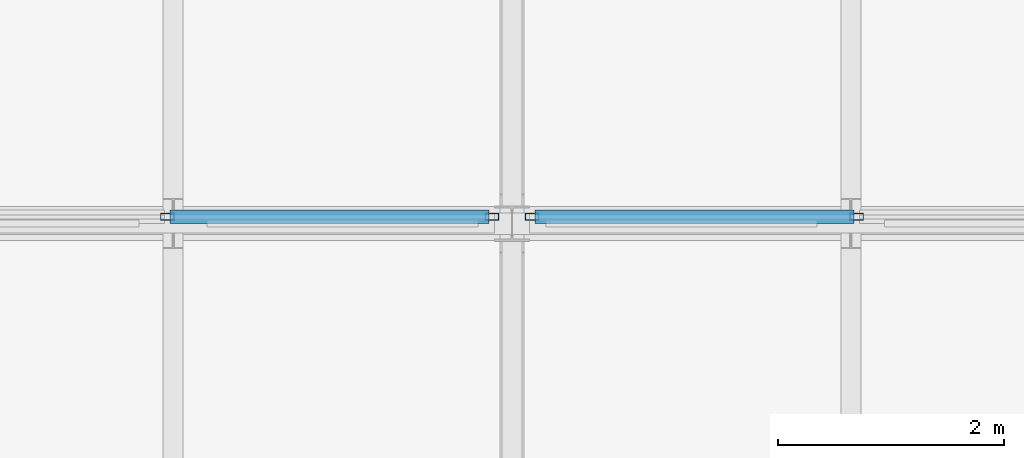
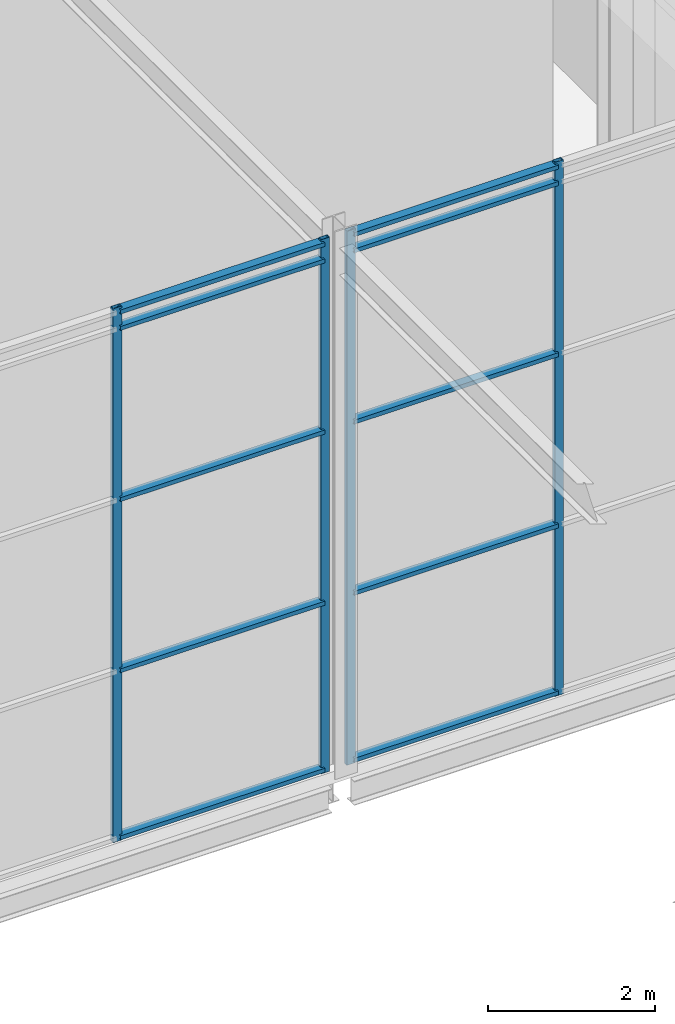
# One storey, part 75 of 144: 14 members, 2 elements without a shape of their own.
"""IFC4 building model written with IfcOpenShell, lengths in metres."""

from ifc_helpers import new_model, si_unit, direction, frame, origin, origin_2d, place, context, subcontext, project, spatial, hollow_rectangle, extrude, material, layer, layer_set, material_profile, profile_set, type_object, element, aggregate, save


model = new_model("IFC4")

# Units and contexts
model_context = context("Model", 3, precision=1e-05, world=origin(), true_north=direction((0.0, 1.0)))
body_context = subcontext(model_context, "Body", "Model", "MODEL_VIEW")
ifc_project = project(units=[si_unit("LENGTHUNIT", "METRE"), si_unit("AREAUNIT", "SQUARE_METRE"), si_unit("VOLUMEUNIT", "CUBIC_METRE"), si_unit("PLANEANGLEUNIT", "RADIAN"), si_unit("MASSUNIT", "GRAM", prefix="KILO")], contexts=[model_context])

# Site, building, storey
site_placement = place(None, origin())
site = spatial("IfcSite", under=ifc_project, at=site_placement, CompositionType="ELEMENT")
building_placement = place(site_placement, origin())
building = spatial("IfcBuilding", under=site, at=building_placement, Name="Shorebreak Coast Museum", CompositionType="ELEMENT")
storey_placement = place(building_placement, frame((0.0, 0.0, 36.0)))
storey = spatial("IfcBuildingStorey", under=building, at=storey_placement, Name="L06", CompositionType="ELEMENT", Elevation=36.0)

# Curtain wall, members
ifc_material_1 = material(Name="Aluminium", Category="aluminium")
ifc_layer = layer(ifc_material_1, 0.1201171875)
ifc_layer_set = layer_set([ifc_layer], Name="Aluminium")
curtain_wall_type = type_object("IfcCurtainWallType", Name="Atrium fire screen", PredefinedType="NOTDEFINED", material=ifc_layer_set)
curtain_wall_1_placement = place(storey_placement, origin())
curtain_wall_1 = element("IfcCurtainWall", 1, at=curtain_wall_1_placement, inside=storey, type_object=curtain_wall_type, Name="Atrium screen L06 N 86", PredefinedType="NOTDEFINED")
ifc_material_2 = material(Name="Aluminium", Category="aluminium")
ifc_material_profile_1 = material_profile(ifc_material_2, hollow_rectangle(XDim=0.06005859375, YDim=0.1201171875, WallThickness=0.00341796875, at=origin_2d()), Name="AL 120x60 RHS")
ifc_profile_set_1 = profile_set([ifc_material_profile_1], Name="Aluminium")
member_type_1 = type_object("IfcMemberType", Name="Screen mullion 50 x 120", PredefinedType="MULLION", material=ifc_profile_set_1)
member_1_placement = place(storey_placement, frame((86.94873046875, 81.06005859375, 0.0), z_axis=(0.0, 0.0, 1.0), x_axis=(0.0, 1.0, 0.0)))
member_1 = element("IfcMember", 2, at=member_1_placement, type_object=member_type_1, Name="CW6 mullion 3", PredefinedType="MULLION", context=body_context, shape_type="SweptSolid", body=[
    extrude(hollow_rectangle(XDim=0.06005859375, YDim=0.1201171875, WallThickness=0.00341796875, at=origin_2d()), origin(), (0.0, 0.0, 1.0), 7.800048828125),
])
member_2_placement = place(storey_placement, frame((89.821533203125, 81.06005859375, 0.0), z_axis=(0.0, 0.0, 1.0), x_axis=(0.0, 1.0, 0.0)))
member_2 = element("IfcMember", 3, at=member_2_placement, type_object=member_type_1, Name="CW6 mullion 4", PredefinedType="MULLION", context=body_context, shape_type="SweptSolid", body=[
    extrude(hollow_rectangle(XDim=0.06005859375, YDim=0.1201171875, WallThickness=0.00341796875, at=origin_2d()), origin(), (0.0, 0.0, 1.0), 7.800048828125),
])

curtain_wall_2_placement = place(storey_placement, origin())
curtain_wall_2 = element("IfcCurtainWall", 4, at=curtain_wall_2_placement, inside=storey, type_object=curtain_wall_type, Name="Atrium screen L06 N 87", PredefinedType="NOTDEFINED")
member_3_placement = place(storey_placement, frame((90.178466796875, 81.06005859375, 0.0), z_axis=(0.0, 0.0, 1.0), x_axis=(0.0, 1.0, 0.0)))
member_3 = element("IfcMember", 5, at=member_3_placement, type_object=member_type_1, Name="CW4 mullion 1", PredefinedType="MULLION", context=body_context, shape_type="SweptSolid", body=[
    extrude(hollow_rectangle(XDim=0.06005859375, YDim=0.1201171875, WallThickness=0.00341796875, at=origin_2d()), origin(), (0.0, 0.0, 1.0), 7.800048828125),
])
member_4_placement = place(storey_placement, frame((93.05126953125, 81.06005859375, 0.0), z_axis=(0.0, 0.0, 1.0), x_axis=(0.0, 1.0, 0.0)))
member_4 = element("IfcMember", 6, at=member_4_placement, type_object=member_type_1, Name="CW4 mullion 2", PredefinedType="MULLION", context=body_context, shape_type="SweptSolid", body=[
    extrude(hollow_rectangle(XDim=0.06005859375, YDim=0.1201171875, WallThickness=0.00341796875, at=origin_2d()), origin(), (0.0, 0.0, 1.0), 7.800048828125),
])

# Member
ifc_material_3 = material(Name="Aluminium", Category="aluminium")
ifc_material_profile_2 = material_profile(ifc_material_3, hollow_rectangle(XDim=0.1201171875, YDim=0.06005859375, WallThickness=0.00341796875, at=origin_2d()), Name="AL 60x120 RHS")
ifc_profile_set_2 = profile_set([ifc_material_profile_2], Name="Aluminium")
member_type_2 = type_object("IfcMemberType", Name="Screen transom 120 x 50", PredefinedType="USERDEFINED", material=ifc_profile_set_2)
member_5_placement = place(storey_placement, frame((86.973876953125, 81.06005859375, 0.06005859375), z_axis=(1.0, 0.0, 0.0), x_axis=(0.0, 1.0, 0.0)))
member_5 = element("IfcMember", 7, at=member_5_placement, type_object=member_type_2, Name="CW6 transom 3.1", ObjectType="TRANSOM", PredefinedType="USERDEFINED", context=body_context, shape_type="SweptSolid", body=[
    extrude(hollow_rectangle(XDim=0.1201171875, YDim=0.06005859375, WallThickness=0.00341796875, at=origin_2d()), origin(), (0.0, 0.0, 1.0), 2.822509765625),
])

member_6_placement = place(storey_placement, frame((86.973876953125, 81.06005859375, 2.5), z_axis=(1.0, 0.0, 0.0), x_axis=(0.0, 1.0, 0.0)))
member_6 = element("IfcMember", 8, at=member_6_placement, type_object=member_type_2, Name="CW6 transom 3.2", ObjectType="TRANSOM", PredefinedType="USERDEFINED", context=body_context, shape_type="SweptSolid", body=[
    extrude(hollow_rectangle(XDim=0.1201171875, YDim=0.06005859375, WallThickness=0.00341796875, at=origin_2d()), origin(), (0.0, 0.0, 1.0), 2.822509765625),
])

member_7_placement = place(storey_placement, frame((86.973876953125, 81.06005859375, 5.0), z_axis=(1.0, 0.0, 0.0), x_axis=(0.0, 1.0, 0.0)))
member_7 = element("IfcMember", 9, at=member_7_placement, type_object=member_type_2, Name="CW6 transom 3.3", ObjectType="TRANSOM", PredefinedType="USERDEFINED", context=body_context, shape_type="SweptSolid", body=[
    extrude(hollow_rectangle(XDim=0.1201171875, YDim=0.06005859375, WallThickness=0.00341796875, at=origin_2d()), origin(), (0.0, 0.0, 1.0), 2.822509765625),
])

member_8_placement = place(storey_placement, frame((86.973876953125, 81.06005859375, 7.5), z_axis=(1.0, 0.0, 0.0), x_axis=(0.0, 1.0, 0.0)))
member_8 = element("IfcMember", 10, at=member_8_placement, type_object=member_type_2, Name="CW6 transom 3.4", ObjectType="TRANSOM", PredefinedType="USERDEFINED", context=body_context, shape_type="SweptSolid", body=[
    extrude(hollow_rectangle(XDim=0.1201171875, YDim=0.06005859375, WallThickness=0.00341796875, at=origin_2d()), origin(), (0.0, 0.0, 1.0), 2.822509765625),
])

member_9_placement = place(storey_placement, frame((86.973876953125, 81.06005859375, 7.739990234375), z_axis=(1.0, 0.0, 0.0), x_axis=(0.0, 1.0, 0.0)))
member_9 = element("IfcMember", 11, at=member_9_placement, type_object=member_type_2, Name="CW6 transom 3.5", ObjectType="TRANSOM", PredefinedType="USERDEFINED", context=body_context, shape_type="SweptSolid", body=[
    extrude(hollow_rectangle(XDim=0.1201171875, YDim=0.06005859375, WallThickness=0.00341796875, at=origin_2d()), origin(), (0.0, 0.0, 1.0), 2.822509765625),
])

aggregate(curtain_wall_1, [member_1, member_2, member_5, member_6, member_7, member_8, member_9])

member_10_placement = place(storey_placement, frame((90.20361328125, 81.06005859375, 0.06005859375), z_axis=(1.0, 0.0, 0.0), x_axis=(0.0, 1.0, 0.0)))
member_10 = element("IfcMember", 12, at=member_10_placement, type_object=member_type_2, Name="CW4 transom 1.1", ObjectType="TRANSOM", PredefinedType="USERDEFINED", context=body_context, shape_type="SweptSolid", body=[
    extrude(hollow_rectangle(XDim=0.1201171875, YDim=0.06005859375, WallThickness=0.00341796875, at=origin_2d()), origin(), (0.0, 0.0, 1.0), 2.822509765625),
])

member_11_placement = place(storey_placement, frame((90.20361328125, 81.06005859375, 2.5), z_axis=(1.0, 0.0, 0.0), x_axis=(0.0, 1.0, 0.0)))
member_11 = element("IfcMember", 13, at=member_11_placement, type_object=member_type_2, Name="CW4 transom 1.2", ObjectType="TRANSOM", PredefinedType="USERDEFINED", context=body_context, shape_type="SweptSolid", body=[
    extrude(hollow_rectangle(XDim=0.1201171875, YDim=0.06005859375, WallThickness=0.00341796875, at=origin_2d()), origin(), (0.0, 0.0, 1.0), 2.822509765625),
])

member_12_placement = place(storey_placement, frame((90.20361328125, 81.06005859375, 5.0), z_axis=(1.0, 0.0, 0.0), x_axis=(0.0, 1.0, 0.0)))
member_12 = element("IfcMember", 14, at=member_12_placement, type_object=member_type_2, Name="CW4 transom 1.3", ObjectType="TRANSOM", PredefinedType="USERDEFINED", context=body_context, shape_type="SweptSolid", body=[
    extrude(hollow_rectangle(XDim=0.1201171875, YDim=0.06005859375, WallThickness=0.00341796875, at=origin_2d()), origin(), (0.0, 0.0, 1.0), 2.822509765625),
])

member_13_placement = place(storey_placement, frame((90.20361328125, 81.06005859375, 7.5), z_axis=(1.0, 0.0, 0.0), x_axis=(0.0, 1.0, 0.0)))
member_13 = element("IfcMember", 15, at=member_13_placement, type_object=member_type_2, Name="CW4 transom 1.4", ObjectType="TRANSOM", PredefinedType="USERDEFINED", context=body_context, shape_type="SweptSolid", body=[
    extrude(hollow_rectangle(XDim=0.1201171875, YDim=0.06005859375, WallThickness=0.00341796875, at=origin_2d()), origin(), (0.0, 0.0, 1.0), 2.822509765625),
])

member_14_placement = place(storey_placement, frame((90.20361328125, 81.06005859375, 7.739990234375), z_axis=(1.0, 0.0, 0.0), x_axis=(0.0, 1.0, 0.0)))
member_14 = element("IfcMember", 16, at=member_14_placement, type_object=member_type_2, Name="CW4 transom 1.5", ObjectType="TRANSOM", PredefinedType="USERDEFINED", context=body_context, shape_type="SweptSolid", body=[
    extrude(hollow_rectangle(XDim=0.1201171875, YDim=0.06005859375, WallThickness=0.00341796875, at=origin_2d()), origin(), (0.0, 0.0, 1.0), 2.822509765625),
])

aggregate(curtain_wall_2, [member_3, member_4, member_10, member_11, member_12, member_13, member_14])

save(model, "model.ifc")
